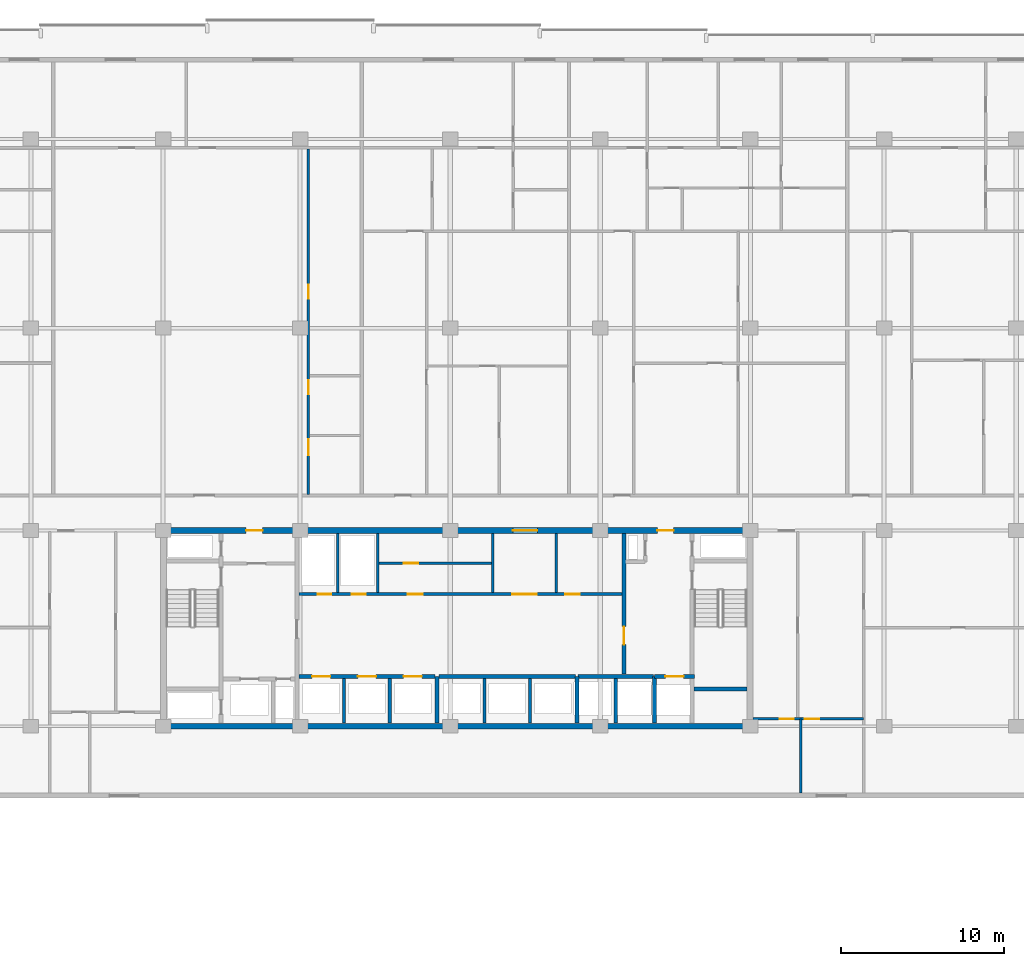
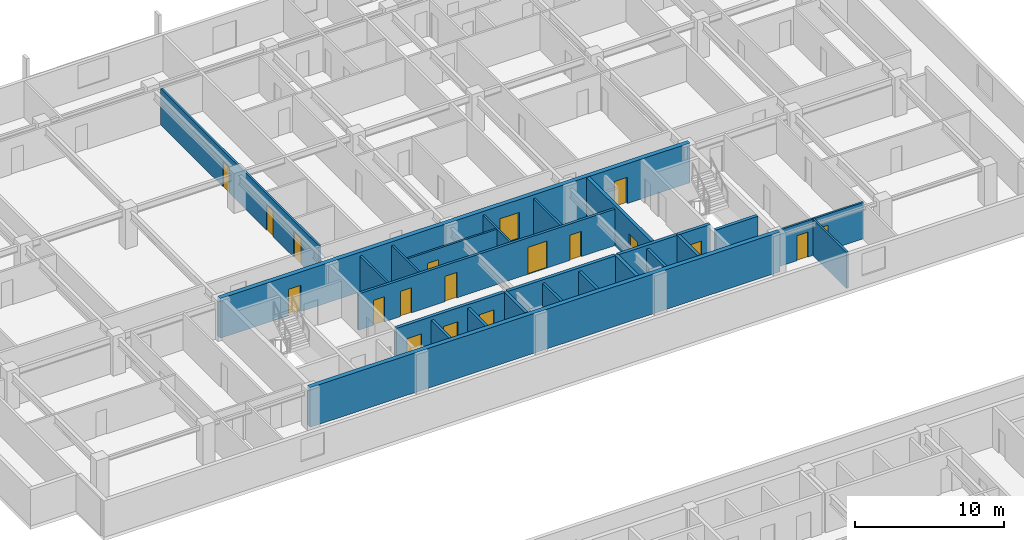
# One storey, part 12 of 22: 25 walls, 19 doors, 19 openings.
"""IFC4 building model written with IfcOpenShell, lengths in metres."""

from ifc_helpers import new_model, si_unit, direction, frame, frame_2d, origin, place, context, subcontext, project, spatial, rectangle, extrude, material, layer, layer_set, type_object, element, fill, save


model = new_model("IFC4")

# Units and contexts
model_context = context("Model", 3, precision=1e-05, world=origin(), true_north=direction((0.0, 1.0)))
body_context = subcontext(model_context, "Body", "Model", "MODEL_VIEW")
ifc_project = project(units=[si_unit("LENGTHUNIT", "METRE"), si_unit("AREAUNIT", "SQUARE_METRE"), si_unit("VOLUMEUNIT", "CUBIC_METRE"), si_unit("PLANEANGLEUNIT", "RADIAN"), si_unit("MASSUNIT", "GRAM", prefix="KILO")], contexts=[model_context])

# Site, building, storey
site_placement = place(None, origin())
site = spatial("IfcSite", under=ifc_project, at=site_placement, CompositionType="ELEMENT")
building_placement = place(site_placement, origin())
building = spatial("IfcBuilding", under=site, at=building_placement, Name="Korimba Cascade Residences", CompositionType="ELEMENT")
storey_placement = place(building_placement, frame((0.0, 0.0, 84.050048828125)))
storey = spatial("IfcBuildingStorey", under=building, at=storey_placement, Name="L23", CompositionType="ELEMENT", Elevation=84.050048828125)

# Wall
ifc_material_1 = material(Name="Concrete C65/80", Category="concrete")
ifc_layer_1 = layer(ifc_material_1, 0.35009765625)
ifc_layer_set_1 = layer_set([ifc_layer_1], Name="Concrete C65/80")
wall_type_1 = type_object("IfcWallType", Name="WAL-CORE-350", PredefinedType="SHEAR", material=ifc_layer_set_1)
wall_1_placement = place(storey_placement, frame((75.949951171875, 55.199951171875, 0.0), z_axis=(0.0, 0.0, 1.0), x_axis=(1.0, 0.0, 0.0)))
element("IfcWall", 1, at=wall_1_placement, inside=storey, type_object=wall_type_1, Name="L23 Core Shear Wall CW-L23-T1-S", PredefinedType="SHEAR", context=body_context, shape_type="SweptSolid", body=[
    extrude(rectangle(XDim=36.300048828125, YDim=0.35009765625, at=frame_2d((18.14990234375, 0.0))), origin(), (0.0, 0.0, 1.0), 3.25),
])

# Wall, openings, doors
wall_2_placement = place(storey_placement, frame((75.949951171875, 67.199951171875, 0.0), z_axis=(0.0, 0.0, 1.0), x_axis=(1.0, 0.0, 0.0)))
wall_2 = element("IfcWall", 2, at=wall_2_placement, inside=storey, type_object=wall_type_1, Name="L23 Core Shear Wall CW-L23-T1-N", PredefinedType="SHEAR", context=body_context, shape_type="SweptSolid", body=[
    extrude(rectangle(XDim=36.300048828125, YDim=0.35009765625, at=frame_2d((18.14990234375, 0.0))), origin(), (0.0, 0.0, 1.0), 3.25),
])
opening_1_placement = place(wall_2_placement, frame((5.25, 0.0, 0.0)))
opening_1 = element("IfcOpeningElement", 3, at=opening_1_placement, cuts=wall_2, Name="Opening D-FD5", PredefinedType="OPENING", context=body_context, shape_type="SweptSolid", body=[
    extrude(rectangle(XDim=1.0, YDim=2.14990234375, at=frame_2d((0.5, 1.074951171875))), frame((0.0, 0.18505859375, 0.0), z_axis=(0.0, -1.0, 0.0), x_axis=(1.0, 0.0, 0.0)), (0.0, 0.0, 1.0), 0.3701171875),
])
opening_2_placement = place(wall_2_placement, frame((21.60009765625, 0.0, 0.0)))
opening_2 = element("IfcOpeningElement", 4, at=opening_2_placement, cuts=wall_2, Name="Opening D-FD8", PredefinedType="OPENING", context=body_context, shape_type="SweptSolid", body=[
    extrude(rectangle(XDim=1.5, YDim=2.199951171875, at=frame_2d((0.75, 1.10009765625))), frame((0.0, 0.18505859375, 0.0), z_axis=(0.0, -1.0, 0.0), x_axis=(1.0, 0.0, 0.0)), (0.0, 0.0, 1.0), 0.3701171875),
])
opening_3_placement = place(wall_2_placement, frame((30.449951171875, 0.0, 0.0)))
opening_3 = element("IfcOpeningElement", 5, at=opening_3_placement, cuts=wall_2, Name="Opening D-FD5", PredefinedType="OPENING", context=body_context, shape_type="SweptSolid", body=[
    extrude(rectangle(XDim=1.0, YDim=2.14990234375, at=frame_2d((0.5, 1.074951171875))), frame((0.0, 0.18505859375, 0.0), z_axis=(0.0, -1.0, 0.0), x_axis=(1.0, 0.0, 0.0)), (0.0, 0.0, 1.0), 0.3701171875),
])
ifc_material_2 = material(Name="Fire-Rated Acoustic Timber Vestibule Door", Category="wood")
door_type_1 = type_object("IfcDoorType", Name="DR-FD90-1000", OperationType="NOTDEFINED", PredefinedType="DOOR", material=ifc_material_2)
door_1_placement = place(opening_1_placement, origin())
door_1 = element("IfcDoor", 6, at=door_1_placement, inside=storey, type_object=door_type_1, Name="L23 T1 West Core Vestibule Fire Door", OperationType="SINGLE_SWING_LEFT", OverallHeight=2.14990234375, OverallWidth=1.0, PredefinedType="DOOR", context=body_context, shape_type="SweptSolid", body=[
    extrude(rectangle(XDim=1.0, YDim=2.14990234375, at=frame_2d((0.5, 1.074951171875))), frame((0.0, 0.02490234375, 0.0), z_axis=(0.0, -1.0, 0.0), x_axis=(1.0, 0.0, 0.0)), (0.0, 0.0, 1.0), 0.050048828125),
])
fill(opening_1, door_1)
door_2_placement = place(opening_3_placement, origin())
door_2 = element("IfcDoor", 7, at=door_2_placement, inside=storey, type_object=door_type_1, Name="L23 T1 East Firefighting Vestibule Fire Door", OperationType="SINGLE_SWING_RIGHT", OverallHeight=2.14990234375, OverallWidth=1.0, PredefinedType="DOOR", context=body_context, shape_type="SweptSolid", body=[
    extrude(rectangle(XDim=1.0, YDim=2.14990234375, at=frame_2d((0.5, 1.074951171875))), frame((0.0, 0.02490234375, 0.0), z_axis=(0.0, -1.0, 0.0), x_axis=(1.0, 0.0, 0.0)), (0.0, 0.0, 1.0), 0.050048828125),
])
fill(opening_3, door_2)
ifc_material_3 = material(Name="Fire-Rated Glazed Lift Lobby Double Door", Category="glass")
door_type_2 = type_object("IfcDoorType", Name="DR-FD90-1500", OperationType="NOTDEFINED", PredefinedType="DOOR", material=ifc_material_3)
door_3_placement = place(opening_2_placement, origin())
door_3 = element("IfcDoor", 8, at=door_3_placement, inside=storey, type_object=door_type_2, Name="L23 T1 Lift Lobby Fire Door", OperationType="DOUBLE_DOOR_SINGLE_SWING", OverallHeight=2.199951171875, OverallWidth=1.5, PredefinedType="DOOR", context=body_context, shape_type="SweptSolid", body=[
    extrude(rectangle(XDim=1.5, YDim=2.199951171875, at=frame_2d((0.75, 1.10009765625))), frame((0.0, 0.02490234375, 0.0), z_axis=(0.0, -1.0, 0.0), x_axis=(1.0, 0.0, 0.0)), (0.0, 0.0, 1.0), 0.050048828125),
])
fill(opening_2, door_3)

# Walls
ifc_material_4 = material(Name="Insulated Acoustic Stud Partition", Category="gypsum")
ifc_layer_2 = layer(ifc_material_4, 0.14990234375)
ifc_layer_set_2 = layer_set([ifc_layer_2], Name="Insulated Acoustic Stud Partition")
wall_type_2 = type_object("IfcWallType", Name="WAL-PART-150", PredefinedType="PARTITIONING", material=ifc_layer_set_2)
for number, where, z_axis, x_axis, name in (
    (9, (86.800048828125, 63.39990234375, 0.0), (0.0, 0.0, 1.0), (0.0, 1.0, 0.0), "L23 Partition Wall CW-L23-T1-ERDIV"),
    (10, (89.25, 63.39990234375, 0.0), (0.0, 0.0, 1.0), (0.0, 1.0, 0.0), "L23 Partition Wall CW-L23-T1-PRDIV"),
):
    element("IfcWall", number, at=place(storey_placement, frame(where, z_axis=z_axis, x_axis=x_axis)), inside=storey, type_object=wall_type_2, Name=name, PredefinedType="PARTITIONING", context=body_context, shape_type="SweptSolid", body=[
        extrude(rectangle(XDim=3.60009765625, YDim=0.14990234375, at=frame_2d((1.800048828125, 0.0))), origin(), (0.0, 0.0, 1.0), 2.969970703125),
    ])

# Wall, opening, door
wall_3_placement = place(storey_placement, frame((89.25, 65.199951171875, 0.0), z_axis=(0.0, 0.0, 1.0), x_axis=(1.0, 0.0, 0.0)))
wall_3 = element("IfcWall", 11, at=wall_3_placement, inside=storey, type_object=wall_type_2, Name="L23 Partition Wall CW-L23-T1-CA2HZ", PredefinedType="PARTITIONING", context=body_context, shape_type="SweptSolid", body=[
    extrude(rectangle(XDim=7.050048828125, YDim=0.14990234375, at=frame_2d((3.52490234375, 0.0))), origin(), (0.0, 0.0, 1.0), 2.969970703125),
])
opening_4_placement = place(wall_3_placement, frame((1.60009765625, 0.0, 0.0)))
opening_4 = element("IfcOpeningElement", 12, at=opening_4_placement, cuts=wall_3, Name="Opening D-IN2", PredefinedType="OPENING", context=body_context, shape_type="SweptSolid", body=[
    extrude(rectangle(XDim=0.8798828125, YDim=2.06005859375, at=frame_2d((0.43994140625, 1.030029296875))), frame((0.0, 0.0849609375, 0.0), z_axis=(0.0, -1.0, 0.0), x_axis=(1.0, 0.0, 0.0)), (0.0, 0.0, 1.0), 0.169921875),
])
ifc_material_5 = material(Name="Acoustic Timber Bedroom Door", Category="wood")
door_type_3 = type_object("IfcDoorType", Name="DR-INT-880", OperationType="NOTDEFINED", PredefinedType="DOOR", material=ifc_material_5)
door_4_placement = place(opening_4_placement, origin())
door_4 = element("IfcDoor", 13, at=door_4_placement, inside=storey, type_object=door_type_3, Name="L23 Pram Store Door", OperationType="SINGLE_SWING_LEFT", OverallHeight=2.06005859375, OverallWidth=0.8798828125, PredefinedType="DOOR", context=body_context, shape_type="SweptSolid", body=[
    extrude(rectangle(XDim=0.8798828125, YDim=2.06005859375, at=frame_2d((0.43994140625, 1.030029296875))), frame((0.0, 0.02490234375, 0.0), z_axis=(0.0, -1.0, 0.0), x_axis=(1.0, 0.0, 0.0)), (0.0, 0.0, 1.0), 0.050048828125),
])
fill(opening_4, door_4)

# Walls
for number, where, z_axis, x_axis, name in (
    (14, (96.300048828125, 63.39990234375, 0.0), (0.0, 0.0, 1.0), (0.0, 1.0, 0.0), "L23 Partition Wall CW-L23-T1-THW"),
    (15, (100.199951171875, 63.39990234375, 0.0), (0.0, 0.0, 1.0), (0.0, 1.0, 0.0), "L23 Partition Wall CW-L23-T1-THE"),
):
    element("IfcWall", number, at=place(storey_placement, frame(where, z_axis=z_axis, x_axis=x_axis)), inside=storey, type_object=wall_type_2, Name=name, PredefinedType="PARTITIONING", context=body_context, shape_type="SweptSolid", body=[
        extrude(rectangle(XDim=3.60009765625, YDim=0.14990234375, at=frame_2d((1.800048828125, 0.0))), origin(), (0.0, 0.0, 1.0), 2.969970703125),
    ])
wall_4_placement = place(storey_placement, frame((115.199951171875, 51.10009765625, 0.0), z_axis=(0.0, 0.0, 1.0), x_axis=(0.0, 1.0, 0.0)))
element("IfcWall", 16, at=wall_4_placement, inside=storey, type_object=wall_type_2, Name="L23 Partition Wall WAL-L23-T1-FE-VS", PredefinedType="PARTITIONING", context=body_context, shape_type="SweptSolid", body=[
    extrude(rectangle(XDim=4.5498046875, YDim=0.14990234375, at=frame_2d((2.27490234375, 0.0))), origin(), (0.0, 0.0, 1.0), 2.969970703125),
])

# Wall, openings, doors
wall_5_placement = place(storey_placement, frame((112.27001953125, 55.64990234375, 0.0), z_axis=(0.0, 0.0, 1.0), x_axis=(1.0, 0.0, 0.0)))
wall_5 = element("IfcWall", 17, at=wall_5_placement, inside=storey, type_object=wall_type_2, Name="L23 Partition Wall WAL-L23-T1-FE-H", PredefinedType="PARTITIONING", context=body_context, shape_type="SweptSolid", body=[
    extrude(rectangle(XDim=6.760009765625, YDim=0.14990234375, at=frame_2d((3.3798828125, 0.0))), origin(), (0.0, 0.0, 1.0), 2.969970703125),
])
opening_5_placement = place(wall_5_placement, frame((1.6396484375, 0.0, 0.0)))
opening_5 = element("IfcOpeningElement", 18, at=opening_5_placement, cuts=wall_5, Name="Opening D-BT1", PredefinedType="OPENING", context=body_context, shape_type="SweptSolid", body=[
    extrude(rectangle(XDim=0.840087890625, YDim=2.0400390625, at=frame_2d((0.419921875, 1.02001953125))), frame((0.0, 0.0849609375, 0.0), z_axis=(0.0, -1.0, 0.0), x_axis=(1.0, 0.0, 0.0)), (0.0, 0.0, 1.0), 0.169921875),
])
opening_6_placement = place(wall_5_placement, frame((3.160400390625, 0.0, 0.0)))
opening_6 = element("IfcOpeningElement", 19, at=opening_6_placement, cuts=wall_5, Name="Opening D-IN2", PredefinedType="OPENING", context=body_context, shape_type="SweptSolid", body=[
    extrude(rectangle(XDim=0.8798828125, YDim=2.06005859375, at=frame_2d((0.43994140625, 1.030029296875))), frame((0.0, 0.0849609375, 0.0), z_axis=(0.0, -1.0, 0.0), x_axis=(1.0, 0.0, 0.0)), (0.0, 0.0, 1.0), 0.169921875),
])
ifc_material_6 = material(Name="Moisture-Resistant Bathroom Timber Door", Category="wood")
door_type_4 = type_object("IfcDoorType", Name="DR-INT-850", OperationType="NOTDEFINED", PredefinedType="DOOR", material=ifc_material_6)
door_5_placement = place(opening_5_placement, origin())
door_5 = element("IfcDoor", 20, at=door_5_placement, inside=storey, type_object=door_type_4, Name="L23-T1-FE Bathroom Door", OperationType="SINGLE_SWING_LEFT", OverallHeight=2.0400390625, OverallWidth=0.840087890625, PredefinedType="DOOR", context=body_context, shape_type="SweptSolid", body=[
    extrude(rectangle(XDim=0.840087890625, YDim=2.0400390625, at=frame_2d((0.419921875, 1.02001953125))), frame((0.0, 0.02490234375, 0.0), z_axis=(0.0, -1.0, 0.0), x_axis=(1.0, 0.0, 0.0)), (0.0, 0.0, 1.0), 0.050048828125),
])
fill(opening_5, door_5)
door_6_placement = place(opening_6_placement, origin())
door_6 = element("IfcDoor", 21, at=door_6_placement, inside=storey, type_object=door_type_3, Name="L23-T1-FE Bedroom Door", OperationType="SINGLE_SWING_RIGHT", OverallHeight=2.06005859375, OverallWidth=0.8798828125, PredefinedType="DOOR", context=body_context, shape_type="SweptSolid", body=[
    extrude(rectangle(XDim=0.8798828125, YDim=2.06005859375, at=frame_2d((0.43994140625, 1.030029296875))), frame((0.0, 0.02490234375, 0.0), z_axis=(0.0, -1.0, 0.0), x_axis=(1.0, 0.0, 0.0)), (0.0, 0.0, 1.0), 0.050048828125),
])
fill(opening_6, door_6)

wall_6_placement = place(storey_placement, frame((85.0146484375, 69.409912109375, 0.0), z_axis=(0.0, 0.0, 1.0), x_axis=(0.0, 1.0, 0.0)))
wall_6 = element("IfcWall", 22, at=wall_6_placement, inside=storey, type_object=wall_type_2, Name="L23 Partition Wall WAL-L23-T1-U02-WCV", PredefinedType="PARTITIONING", context=body_context, shape_type="SweptSolid", body=[
    extrude(rectangle(XDim=21.18017578125, YDim=0.14990234375, at=frame_2d((10.590087890625, 0.0))), origin(), (0.0, 0.0, 1.0), 2.969970703125),
])
opening_7_placement = place(wall_6_placement, frame((2.406005859375, 0.0, 0.0)))
opening_7 = element("IfcOpeningElement", 23, at=opening_7_placement, cuts=wall_6, Name="Opening D-AC1", PredefinedType="OPENING", context=body_context, shape_type="SweptSolid", body=[
    extrude(rectangle(XDim=0.9599609375, YDim=2.10009765625, at=frame_2d((0.47998046875, 1.050048828125))), frame((0.0, 0.0849609375, 0.0), z_axis=(0.0, -1.0, 0.0), x_axis=(1.0, 0.0, 0.0)), (0.0, 0.0, 1.0), 0.169921875),
])
opening_8_placement = place(wall_6_placement, frame((6.132568359375, 0.0, 0.0)))
opening_8 = element("IfcOpeningElement", 24, at=opening_8_placement, cuts=wall_6, Name="Opening D-IN2", PredefinedType="OPENING", context=body_context, shape_type="SweptSolid", body=[
    extrude(rectangle(XDim=0.8798828125, YDim=2.06005859375, at=frame_2d((0.43994140625, 1.030029296875))), frame((0.0, 0.0849609375, 0.0), z_axis=(0.0, -1.0, 0.0), x_axis=(1.0, 0.0, 0.0)), (0.0, 0.0, 1.0), 0.169921875),
])
opening_9_placement = place(wall_6_placement, frame((12.003173828125, 0.0, 0.0)))
opening_9 = element("IfcOpeningElement", 25, at=opening_9_placement, cuts=wall_6, Name="Opening D-BT1", PredefinedType="OPENING", context=body_context, shape_type="SweptSolid", body=[
    extrude(rectangle(XDim=0.840087890625, YDim=2.0400390625, at=frame_2d((0.419921875, 1.02001953125))), frame((0.0, 0.0849609375, 0.0), z_axis=(0.0, -1.0, 0.0), x_axis=(1.0, 0.0, 0.0)), (0.0, 0.0, 1.0), 0.169921875),
])
ifc_material_7 = material(Name="Accessible Acoustic Timber WC Door", Category="wood")
door_type_5 = type_object("IfcDoorType", Name="DR-ACC-950", OperationType="NOTDEFINED", PredefinedType="DOOR", material=ifc_material_7)
door_7_placement = place(opening_7_placement, origin())
door_7 = element("IfcDoor", 26, at=door_7_placement, inside=storey, type_object=door_type_5, Name="L23-T1-U02 Accessible WC Door", OperationType="SINGLE_SWING_LEFT", OverallHeight=2.10009765625, OverallWidth=0.9599609375, PredefinedType="DOOR", context=body_context, shape_type="SweptSolid", body=[
    extrude(rectangle(XDim=0.9599609375, YDim=2.10009765625, at=frame_2d((0.47998046875, 1.050048828125))), frame((0.0, 0.02490234375, 0.0), z_axis=(0.0, -1.0, 0.0), x_axis=(1.0, 0.0, 0.0)), (0.0, 0.0, 1.0), 0.050048828125),
])
fill(opening_7, door_7)
door_8_placement = place(opening_9_placement, origin())
door_8 = element("IfcDoor", 27, at=door_8_placement, inside=storey, type_object=door_type_4, Name="L23-T1-U02 Suite Store Door", OperationType="SINGLE_SWING_LEFT", OverallHeight=2.0400390625, OverallWidth=0.840087890625, PredefinedType="DOOR", context=body_context, shape_type="SweptSolid", body=[
    extrude(rectangle(XDim=0.840087890625, YDim=2.0400390625, at=frame_2d((0.419921875, 1.02001953125))), frame((0.0, 0.02490234375, 0.0), z_axis=(0.0, -1.0, 0.0), x_axis=(1.0, 0.0, 0.0)), (0.0, 0.0, 1.0), 0.050048828125),
])
fill(opening_9, door_8)
door_9_placement = place(opening_8_placement, origin())
door_9 = element("IfcDoor", 28, at=door_9_placement, inside=storey, type_object=door_type_3, Name="L23-T1-U02 Restroom WC Door", OperationType="SINGLE_SWING_RIGHT", OverallHeight=2.06005859375, OverallWidth=0.8798828125, PredefinedType="DOOR", context=body_context, shape_type="SweptSolid", body=[
    extrude(rectangle(XDim=0.8798828125, YDim=2.06005859375, at=frame_2d((0.43994140625, 1.030029296875))), frame((0.0, 0.02490234375, 0.0), z_axis=(0.0, -1.0, 0.0), x_axis=(1.0, 0.0, 0.0)), (0.0, 0.0, 1.0), 0.050048828125),
])
fill(opening_8, door_9)

# Walls
ifc_material_8 = material(Name="Concrete C40/50", Category="concrete")
ifc_layer_3 = layer(ifc_material_8, 0.199951171875)
ifc_layer_set_3 = layer_set([ifc_layer_3], Name="Concrete C40/50")
wall_type_3 = type_object("IfcWallType", Name="WAL-PART-200", PredefinedType="PARTITIONING", material=ifc_layer_set_3)
for number, where, z_axis, x_axis, name in (
    (29, (87.199951171875, 55.39990234375, 0.0), (0.0, 0.0, 1.0), (0.0, 1.0, 0.0), "L23 Partition Wall CW-L23-T1-B1D1"),
    (30, (90.0, 55.39990234375, 0.0), (0.0, 0.0, 1.0), (0.0, 1.0, 0.0), "L23 Partition Wall CW-L23-T1-B1D2"),
    (31, (95.800048828125, 55.39990234375, 0.0), (0.0, 0.0, 1.0), (0.0, 1.0, 0.0), "L23 Partition Wall CW-L23-T1-B2D1"),
    (32, (98.60009765625, 55.39990234375, 0.0), (0.0, 0.0, 1.0), (0.0, 1.0, 0.0), "L23 Partition Wall CW-L23-T1-B2D2"),
    (33, (103.85009765625, 55.39990234375, 0.0), (0.0, 0.0, 1.0), (0.0, 1.0, 0.0), "L23 Partition Wall CW-L23-T1-B3D1"),
):
    element("IfcWall", number, at=place(storey_placement, frame(where, z_axis=z_axis, x_axis=x_axis)), inside=storey, type_object=wall_type_3, Name=name, PredefinedType="PARTITIONING", context=body_context, shape_type="SweptSolid", body=[
        extrude(rectangle(XDim=2.72021484375, YDim=0.199951171875, at=frame_2d((1.360107421875, 0.0))), origin(), (0.0, 0.0, 1.0), 2.969970703125),
    ])

# Wall, openings, doors
wall_7_placement = place(storey_placement, frame((84.419921875, 63.300048828125, 0.0), z_axis=(0.0, 0.0, 1.0), x_axis=(1.0, 0.0, 0.0)))
wall_7 = element("IfcWall", 34, at=wall_7_placement, inside=storey, type_object=wall_type_3, Name="L23 Partition Wall CW-L23-T1-SRVROW", PredefinedType="PARTITIONING", context=body_context, shape_type="SweptSolid", body=[
    extrude(rectangle(XDim=19.830078125, YDim=0.199951171875, at=frame_2d((9.9150390625, 0.0))), origin(), (0.0, 0.0, 1.0), 2.969970703125),
])
opening_10_placement = place(wall_7_placement, frame((1.14990234375, 0.0, 0.0)))
opening_10 = element("IfcOpeningElement", 35, at=opening_10_placement, cuts=wall_7, Name="Opening D-RS1", PredefinedType="OPENING", context=body_context, shape_type="SweptSolid", body=[
    extrude(rectangle(XDim=0.85009765625, YDim=2.050048828125, at=frame_2d((0.425048828125, 1.02490234375))), frame((0.0, 0.10986328125, 0.0), z_axis=(0.0, -1.0, 0.0), x_axis=(1.0, 0.0, 0.0)), (0.0, 0.0, 1.0), 0.219970703125),
])
opening_11_placement = place(wall_7_placement, frame((3.25, 0.0, 0.0)))
opening_11 = element("IfcOpeningElement", 36, at=opening_11_placement, cuts=wall_7, Name="Opening D-RS1", PredefinedType="OPENING", context=body_context, shape_type="SweptSolid", body=[
    extrude(rectangle(XDim=0.85009765625, YDim=2.050048828125, at=frame_2d((0.425048828125, 1.02490234375))), frame((0.0, 0.10986328125, 0.0), z_axis=(0.0, -1.0, 0.0), x_axis=(1.0, 0.0, 0.0)), (0.0, 0.0, 1.0), 0.219970703125),
])
opening_12_placement = place(wall_7_placement, frame((13.080078125, 0.0, 0.0)))
opening_12 = element("IfcOpeningElement", 37, at=opening_12_placement, cuts=wall_7, Name="Opening D-FD8", PredefinedType="OPENING", context=body_context, shape_type="SweptSolid", body=[
    extrude(rectangle(XDim=1.5, YDim=2.199951171875, at=frame_2d((0.75, 1.10009765625))), frame((0.0, 0.10986328125, 0.0), z_axis=(0.0, -1.0, 0.0), x_axis=(1.0, 0.0, 0.0)), (0.0, 0.0, 1.0), 0.219970703125),
])
opening_13_placement = place(wall_7_placement, frame((6.679931640625, 0.0, 0.0)))
opening_13 = element("IfcOpeningElement", 38, at=opening_13_placement, cuts=wall_7, Name="Opening D-IN1", PredefinedType="OPENING", context=body_context, shape_type="SweptSolid", body=[
    extrude(rectangle(XDim=0.919921875, YDim=2.080078125, at=frame_2d((0.4599609375, 1.0400390625))), frame((0.0, 0.10986328125, 0.0), z_axis=(0.0, -1.0, 0.0), x_axis=(1.0, 0.0, 0.0)), (0.0, 0.0, 1.0), 0.219970703125),
])
opening_14_placement = place(wall_7_placement, frame((16.330078125, 0.0, 0.0)))
opening_14 = element("IfcOpeningElement", 39, at=opening_14_placement, cuts=wall_7, Name="Opening D-IN2", PredefinedType="OPENING", context=body_context, shape_type="SweptSolid", body=[
    extrude(rectangle(XDim=0.8798828125, YDim=2.06005859375, at=frame_2d((0.43994140625, 1.030029296875))), frame((0.0, 0.10986328125, 0.0), z_axis=(0.0, -1.0, 0.0), x_axis=(1.0, 0.0, 0.0)), (0.0, 0.0, 1.0), 0.219970703125),
])
ifc_material_9 = material(Name="Fire-Rated Steel Riser Access Door", Category="steel")
door_type_6 = type_object("IfcDoorType", Name="DR-FD60-850", OperationType="NOTDEFINED", PredefinedType="DOOR", material=ifc_material_9)
door_10_placement = place(opening_10_placement, origin())
door_10 = element("IfcDoor", 40, at=door_10_placement, inside=storey, type_object=door_type_6, Name="L23 Electrical Riser Door", OperationType="SINGLE_SWING_RIGHT", OverallHeight=2.050048828125, OverallWidth=0.85009765625, PredefinedType="DOOR", context=body_context, shape_type="SweptSolid", body=[
    extrude(rectangle(XDim=0.85009765625, YDim=2.050048828125, at=frame_2d((0.425048828125, 1.02490234375))), frame((0.0, 0.02490234375, 0.0), z_axis=(0.0, -1.0, 0.0), x_axis=(1.0, 0.0, 0.0)), (0.0, 0.0, 1.0), 0.050048828125),
])
fill(opening_10, door_10)
door_11_placement = place(opening_11_placement, origin())
door_11 = element("IfcDoor", 41, at=door_11_placement, inside=storey, type_object=door_type_6, Name="L23 Plumbing Riser Door", OperationType="SINGLE_SWING_LEFT", OverallHeight=2.050048828125, OverallWidth=0.85009765625, PredefinedType="DOOR", context=body_context, shape_type="SweptSolid", body=[
    extrude(rectangle(XDim=0.85009765625, YDim=2.050048828125, at=frame_2d((0.425048828125, 1.02490234375))), frame((0.0, 0.02490234375, 0.0), z_axis=(0.0, -1.0, 0.0), x_axis=(1.0, 0.0, 0.0)), (0.0, 0.0, 1.0), 0.050048828125),
])
fill(opening_11, door_11)
door_12_placement = place(opening_12_placement, origin())
door_12 = element("IfcDoor", 42, at=door_12_placement, inside=storey, type_object=door_type_2, Name="L23 Lift Lobby Foyer Archway Door", OperationType="DOUBLE_DOOR_SINGLE_SWING", OverallHeight=2.199951171875, OverallWidth=1.5, PredefinedType="DOOR", context=body_context, shape_type="SweptSolid", body=[
    extrude(rectangle(XDim=1.5, YDim=2.199951171875, at=frame_2d((0.75, 1.10009765625))), frame((0.0, 0.02490234375, 0.0), z_axis=(0.0, -1.0, 0.0), x_axis=(1.0, 0.0, 0.0)), (0.0, 0.0, 1.0), 0.050048828125),
])
fill(opening_12, door_12)
door_13_placement = place(opening_14_placement, origin())
door_13 = element("IfcDoor", 43, at=door_13_placement, inside=storey, type_object=door_type_3, Name="L23 Staff WC Door", OperationType="SINGLE_SWING_LEFT", OverallHeight=2.06005859375, OverallWidth=0.8798828125, PredefinedType="DOOR", context=body_context, shape_type="SweptSolid", body=[
    extrude(rectangle(XDim=0.8798828125, YDim=2.06005859375, at=frame_2d((0.43994140625, 1.030029296875))), frame((0.0, 0.02490234375, 0.0), z_axis=(0.0, -1.0, 0.0), x_axis=(1.0, 0.0, 0.0)), (0.0, 0.0, 1.0), 0.050048828125),
])
fill(opening_14, door_13)
ifc_material_10 = material(Name="Acoustic Timber Living Door", Category="wood")
door_type_7 = type_object("IfcDoorType", Name="DR-INT-920", OperationType="NOTDEFINED", PredefinedType="DOOR", material=ifc_material_10)
door_14_placement = place(opening_13_placement, origin())
door_14 = element("IfcDoor", 44, at=door_14_placement, inside=storey, type_object=door_type_7, Name="L23 Locker Room Door", OperationType="SINGLE_SWING_RIGHT", OverallHeight=2.080078125, OverallWidth=0.919921875, PredefinedType="DOOR", context=body_context, shape_type="SweptSolid", body=[
    extrude(rectangle(XDim=0.919921875, YDim=2.080078125, at=frame_2d((0.4599609375, 1.0400390625))), frame((0.0, 0.02490234375, 0.0), z_axis=(0.0, -1.0, 0.0), x_axis=(1.0, 0.0, 0.0)), (0.0, 0.0, 1.0), 0.050048828125),
])
fill(opening_13, door_14)

ifc_material_11 = material(Name="Concrete C50/60", Category="concrete")
ifc_layer_4 = layer(ifc_material_11, 0.25)
ifc_layer_set_4 = layer_set([ifc_layer_4], Name="Concrete C50/60")
wall_type_4 = type_object("IfcWallType", Name="WAL-SHAFT-250", PredefinedType="SHEAR", material=ifc_layer_set_4)
wall_8_placement = place(storey_placement, frame((84.419921875, 58.25, 0.0), z_axis=(0.0, 0.0, 1.0), x_axis=(1.0, 0.0, 0.0)))
wall_8 = element("IfcWall", 45, at=wall_8_placement, inside=storey, type_object=wall_type_4, Name="L23 Core Shear Wall CW-L23-T1-B1N", PredefinedType="SHEAR", context=body_context, shape_type="SweptSolid", body=[
    extrude(rectangle(XDim=8.360107421875, YDim=0.25, at=frame_2d((4.18017578125, 0.0))), origin(), (0.0, 0.0, 1.0), 3.25),
])
opening_15_placement = place(wall_8_placement, frame((0.820068359375, 0.0, 0.0)))
opening_15 = element("IfcOpeningElement", 46, at=opening_15_placement, cuts=wall_8, Name="Opening LD-01", PredefinedType="OPENING", context=body_context, shape_type="SweptSolid", body=[
    extrude(rectangle(XDim=1.1201171875, YDim=2.1201171875, at=frame_2d((0.56005859375, 1.06005859375))), frame((0.0, 0.135009765625, 0.0), z_axis=(0.0, -1.0, 0.0), x_axis=(1.0, 0.0, 0.0)), (0.0, 0.0, 1.0), 0.27001953125),
])
opening_16_placement = place(wall_8_placement, frame((3.6201171875, 0.0, 0.0)))
opening_16 = element("IfcOpeningElement", 47, at=opening_16_placement, cuts=wall_8, Name="Opening LD-01", PredefinedType="OPENING", context=body_context, shape_type="SweptSolid", body=[
    extrude(rectangle(XDim=1.1201171875, YDim=2.1201171875, at=frame_2d((0.56005859375, 1.06005859375))), frame((0.0, 0.135009765625, 0.0), z_axis=(0.0, -1.0, 0.0), x_axis=(1.0, 0.0, 0.0)), (0.0, 0.0, 1.0), 0.27001953125),
])
opening_17_placement = place(wall_8_placement, frame((6.419921875, 0.0, 0.0)))
opening_17 = element("IfcOpeningElement", 48, at=opening_17_placement, cuts=wall_8, Name="Opening LD-01", PredefinedType="OPENING", context=body_context, shape_type="SweptSolid", body=[
    extrude(rectangle(XDim=1.1201171875, YDim=2.1201171875, at=frame_2d((0.56005859375, 1.06005859375))), frame((0.0, 0.135009765625, 0.0), z_axis=(0.0, -1.0, 0.0), x_axis=(1.0, 0.0, 0.0)), (0.0, 0.0, 1.0), 0.27001953125),
])
ifc_material_12 = material(Name="Stainless Steel Lift Landing Sliding Door", Category="steel")
door_type_8 = type_object("IfcDoorType", Name="DR-LIFT-1100", OperationType="NOTDEFINED", PredefinedType="DOOR", material=ifc_material_12)
door_15_placement = place(opening_15_placement, origin())
door_15 = element("IfcDoor", 49, at=door_15_placement, inside=storey, type_object=door_type_8, Name="L23 Lift Landing Door PL-W1", OperationType="SLIDING_TO_LEFT", OverallHeight=2.1201171875, OverallWidth=1.1201171875, PredefinedType="DOOR", context=body_context, shape_type="SweptSolid", body=[
    extrude(rectangle(XDim=1.1201171875, YDim=2.1201171875, at=frame_2d((0.56005859375, 1.06005859375))), frame((0.0, 0.02490234375, 0.0), z_axis=(0.0, -1.0, 0.0), x_axis=(1.0, 0.0, 0.0)), (0.0, 0.0, 1.0), 0.050048828125),
])
fill(opening_15, door_15)
door_16_placement = place(opening_16_placement, origin())
door_16 = element("IfcDoor", 50, at=door_16_placement, inside=storey, type_object=door_type_8, Name="L23 Lift Landing Door PL-W2", OperationType="SLIDING_TO_LEFT", OverallHeight=2.1201171875, OverallWidth=1.1201171875, PredefinedType="DOOR", context=body_context, shape_type="SweptSolid", body=[
    extrude(rectangle(XDim=1.1201171875, YDim=2.1201171875, at=frame_2d((0.56005859375, 1.06005859375))), frame((0.0, 0.02490234375, 0.0), z_axis=(0.0, -1.0, 0.0), x_axis=(1.0, 0.0, 0.0)), (0.0, 0.0, 1.0), 0.050048828125),
])
fill(opening_16, door_16)
door_17_placement = place(opening_17_placement, origin())
door_17 = element("IfcDoor", 51, at=door_17_placement, inside=storey, type_object=door_type_8, Name="L23 Lift Landing Door PL-W3", OperationType="SLIDING_TO_LEFT", OverallHeight=2.1201171875, OverallWidth=1.1201171875, PredefinedType="DOOR", context=body_context, shape_type="SweptSolid", body=[
    extrude(rectangle(XDim=1.1201171875, YDim=2.1201171875, at=frame_2d((0.56005859375, 1.06005859375))), frame((0.0, 0.02490234375, 0.0), z_axis=(0.0, -1.0, 0.0), x_axis=(1.0, 0.0, 0.0)), (0.0, 0.0, 1.0), 0.050048828125),
])
fill(opening_17, door_17)

# Walls
wall_9_placement = place(storey_placement, frame((92.89990234375, 55.39990234375, 0.0), z_axis=(0.0, 0.0, 1.0), x_axis=(0.0, 1.0, 0.0)))
element("IfcWall", 52, at=wall_9_placement, inside=storey, type_object=wall_type_4, Name="L23 Core Shear Wall CW-L23-T1-B12DIV", PredefinedType="SHEAR", context=body_context, shape_type="SweptSolid", body=[
    extrude(rectangle(XDim=2.85009765625, YDim=0.25, at=frame_2d((1.425048828125, 0.0))), origin(), (0.0, 0.0, 1.0), 3.25),
])
wall_10_placement = place(storey_placement, frame((93.02001953125, 58.25, 0.0), z_axis=(0.0, 0.0, 1.0), x_axis=(1.0, 0.0, 0.0)))
element("IfcWall", 53, at=wall_10_placement, inside=storey, type_object=wall_type_4, Name="L23 Core Shear Wall CW-L23-T1-B2N", PredefinedType="SHEAR", context=body_context, shape_type="SweptSolid", body=[
    extrude(rectangle(XDim=8.35986328125, YDim=0.25, at=frame_2d((4.179931640625, 0.0))), origin(), (0.0, 0.0, 1.0), 3.25),
])
wall_11_placement = place(storey_placement, frame((101.47998046875, 55.39990234375, 0.0), z_axis=(0.0, 0.0, 1.0), x_axis=(0.0, 1.0, 0.0)))
element("IfcWall", 54, at=wall_11_placement, inside=storey, type_object=wall_type_4, Name="L23 Core Shear Wall CW-L23-T1-B23DIV", PredefinedType="SHEAR", context=body_context, shape_type="SweptSolid", body=[
    extrude(rectangle(XDim=2.85009765625, YDim=0.25, at=frame_2d((1.425048828125, 0.0))), origin(), (0.0, 0.0, 1.0), 3.25),
])
wall_12_placement = place(storey_placement, frame((101.550048828125, 58.25, 0.0), z_axis=(0.0, 0.0, 1.0), x_axis=(1.0, 0.0, 0.0)))
element("IfcWall", 55, at=wall_12_placement, inside=storey, type_object=wall_type_4, Name="L23 Core Shear Wall CW-L23-T1-B3N", PredefinedType="SHEAR", context=body_context, shape_type="SweptSolid", body=[
    extrude(rectangle(XDim=4.599853515625, YDim=0.25, at=frame_2d((2.2998046875, 0.0))), origin(), (0.0, 0.0, 1.0), 3.25),
])
wall_13_placement = place(storey_placement, frame((106.219970703125, 55.39990234375, 0.0), z_axis=(0.0, 0.0, 1.0), x_axis=(0.0, 1.0, 0.0)))
element("IfcWall", 56, at=wall_13_placement, inside=storey, type_object=wall_type_4, Name="L23 Core Shear Wall CW-L23-T1-FF2W", PredefinedType="SHEAR", context=body_context, shape_type="SweptSolid", body=[
    extrude(rectangle(XDim=2.85009765625, YDim=0.25, at=frame_2d((1.425048828125, 0.0))), origin(), (0.0, 0.0, 1.0), 3.25),
])

# Wall, opening, door
wall_14_placement = place(storey_placement, frame((106.219970703125, 58.25, 0.0), z_axis=(0.0, 0.0, 1.0), x_axis=(1.0, 0.0, 0.0)))
wall_14 = element("IfcWall", 57, at=wall_14_placement, inside=storey, type_object=wall_type_4, Name="L23 Core Shear Wall CW-L23-T1-FF2N", PredefinedType="SHEAR", context=body_context, shape_type="SweptSolid", body=[
    extrude(rectangle(XDim=2.4599609375, YDim=0.25, at=frame_2d((1.22998046875, 0.0))), origin(), (0.0, 0.0, 1.0), 3.25),
])
opening_18_placement = place(wall_14_placement, frame((0.669921875, 0.0, 0.0)))
opening_18 = element("IfcOpeningElement", 58, at=opening_18_placement, cuts=wall_14, Name="Opening LD-01", PredefinedType="OPENING", context=body_context, shape_type="SweptSolid", body=[
    extrude(rectangle(XDim=1.1201171875, YDim=2.1201171875, at=frame_2d((0.56005859375, 1.06005859375))), frame((0.0, 0.135009765625, 0.0), z_axis=(0.0, -1.0, 0.0), x_axis=(1.0, 0.0, 0.0)), (0.0, 0.0, 1.0), 0.27001953125),
])
door_18_placement = place(opening_18_placement, origin())
door_18 = element("IfcDoor", 59, at=door_18_placement, inside=storey, type_object=door_type_8, Name="L23 Firefighting Lift Landing Door FFL-W2", OperationType="SLIDING_TO_RIGHT", OverallHeight=2.1201171875, OverallWidth=1.1201171875, PredefinedType="DOOR", context=body_context, shape_type="SweptSolid", body=[
    extrude(rectangle(XDim=1.1201171875, YDim=2.1201171875, at=frame_2d((0.56005859375, 1.06005859375))), frame((0.0, 0.02490234375, 0.0), z_axis=(0.0, -1.0, 0.0), x_axis=(1.0, 0.0, 0.0)), (0.0, 0.0, 1.0), 0.050048828125),
])
fill(opening_18, door_18)

wall_15_placement = place(storey_placement, frame((104.35009765625, 58.39990234375, 0.0), z_axis=(0.0, 0.0, 1.0), x_axis=(0.0, 1.0, 0.0)))
wall_15 = element("IfcWall", 60, at=wall_15_placement, inside=storey, type_object=wall_type_4, Name="L23 Core Shear Wall CW-L23-T1-LLEV", PredefinedType="SHEAR", context=body_context, shape_type="SweptSolid", body=[
    extrude(rectangle(XDim=8.60009765625, YDim=0.25, at=frame_2d((4.300048828125, 0.0))), origin(), (0.0, 0.0, 1.0), 3.25),
])
opening_19_placement = place(wall_15_placement, frame((1.800048828125, 0.0, 0.0)))
opening_19 = element("IfcOpeningElement", 61, at=opening_19_placement, cuts=wall_15, Name="Opening D-FD1", PredefinedType="OPENING", context=body_context, shape_type="SweptSolid", body=[
    extrude(rectangle(XDim=1.10009765625, YDim=2.10009765625, at=frame_2d((0.550048828125, 1.050048828125))), frame((0.0, 0.135009765625, 0.0), z_axis=(0.0, -1.0, 0.0), x_axis=(1.0, 0.0, 0.0)), (0.0, 0.0, 1.0), 0.27001953125),
])
ifc_material_13 = material(Name="Fire-Rated Steel Core Door", Category="steel")
door_type_9 = type_object("IfcDoorType", Name="DR-FD120-1100", OperationType="NOTDEFINED", PredefinedType="DOOR", material=ifc_material_13)
door_19_placement = place(opening_19_placement, origin())
door_19 = element("IfcDoor", 62, at=door_19_placement, inside=storey, type_object=door_type_9, Name="L23 Lift Lobby to East Firefighting Lobby Door", OperationType="SINGLE_SWING_LEFT", OverallHeight=2.10009765625, OverallWidth=1.10009765625, PredefinedType="DOOR", context=body_context, shape_type="SweptSolid", body=[
    extrude(rectangle(XDim=1.10009765625, YDim=2.10009765625, at=frame_2d((0.550048828125, 1.050048828125))), frame((0.0, 0.02490234375, 0.0), z_axis=(0.0, -1.0, 0.0), x_axis=(1.0, 0.0, 0.0)), (0.0, 0.0, 1.0), 0.050048828125),
])
fill(opening_19, door_19)

# Wall
wall_16_placement = place(storey_placement, frame((108.659912109375, 57.47509765625, 0.0), z_axis=(0.0, 0.0, 1.0), x_axis=(1.0, 0.0, 0.0)))
element("IfcWall", 63, at=wall_16_placement, inside=storey, type_object=wall_type_4, Name="L23 Core Shear Wall CW-L23-T1-STW2S", PredefinedType="SHEAR", context=body_context, shape_type="SweptSolid", body=[
    extrude(rectangle(XDim=3.239990234375, YDim=0.25, at=frame_2d((1.6201171875, 0.0))), origin(), (0.0, 0.0, 1.0), 3.25),
])

save(model, "model.ifc")
